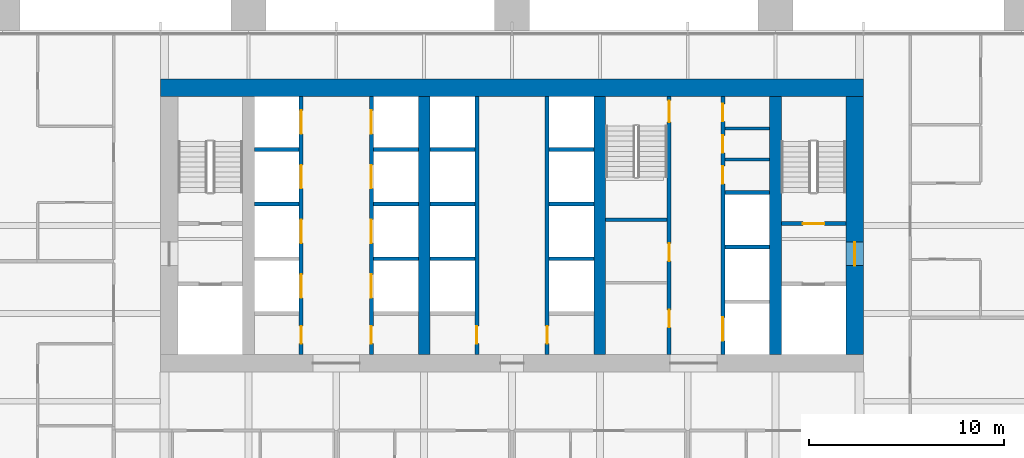
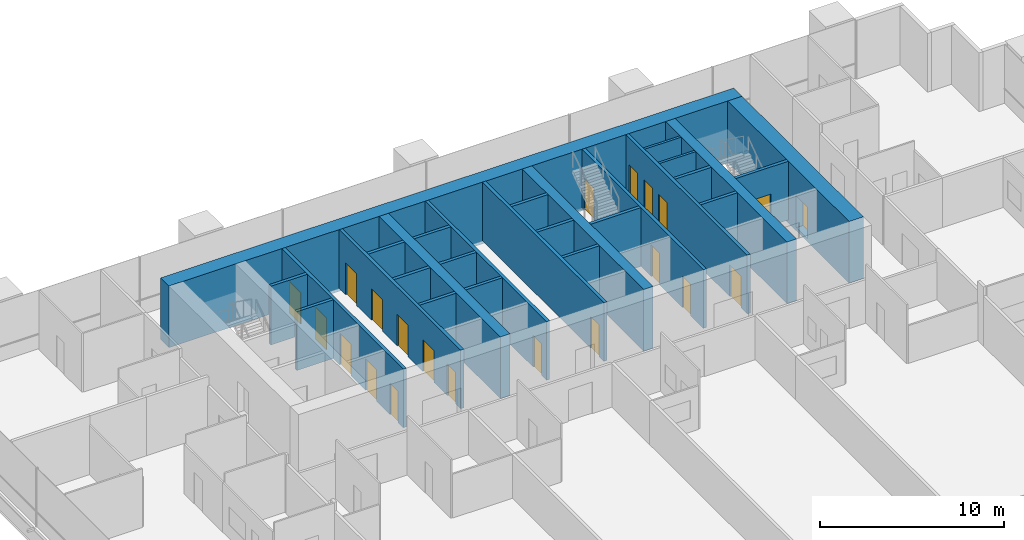
# One storey, part 14 of 18: 28 walls, 21 doors, 21 openings.
"""IFC4 building model written with IfcOpenShell, lengths in metres."""

from ifc_helpers import new_model, si_unit, direction, frame, frame_2d, origin, place, context, subcontext, project, spatial, rectangle, extrude, material, layer, layer_set, type_object, element, fill, save


model = new_model("IFC4")

# Units and contexts
model_context = context("Model", 3, precision=1e-05, world=origin(), true_north=direction((0.0, 1.0)))
body_context = subcontext(model_context, "Body", "Model", "MODEL_VIEW")
ifc_project = project(units=[si_unit("LENGTHUNIT", "METRE"), si_unit("AREAUNIT", "SQUARE_METRE"), si_unit("VOLUMEUNIT", "CUBIC_METRE"), si_unit("PLANEANGLEUNIT", "RADIAN"), si_unit("MASSUNIT", "GRAM", prefix="KILO")], contexts=[model_context])

# Site, building, storey
site_placement = place(None, origin())
site = spatial("IfcSite", under=ifc_project, at=site_placement, CompositionType="ELEMENT")
building_placement = place(site_placement, origin())
building = spatial("IfcBuilding", under=site, at=building_placement, Name="Rattan Terrace Tower", CompositionType="ELEMENT")
storey_placement = place(building_placement, frame((0.0, 0.0, 36.5)))
storey = spatial("IfcBuildingStorey", under=building, at=storey_placement, Name="L07", CompositionType="ELEMENT", Elevation=36.5)

# Walls
ifc_material_1 = material(Name="Gypsum board partition")
ifc_layer_1 = layer(ifc_material_1, 0.14990234375)
ifc_layer_set_1 = layer_set([ifc_layer_1], Name="Core partition 150")
wall_type_1 = type_object("IfcWallType", Name="Core partition 150", PredefinedType="PARTITIONING", material=ifc_layer_set_1)
for number, where, z_axis, x_axis, name in (
    (1, (10.89990234375, 3.384033203125, 0.0), (0.0, 0.0, 1.0), (1.0, 0.0, 0.0), "Riser room wall"),
    (2, (10.89990234375, 4.968017578125, 0.0), (0.0, 0.0, 1.0), (1.0, 0.0, 0.0), "Riser room wall"),
):
    element("IfcWall", number, at=place(storey_placement, frame(where, z_axis=z_axis, x_axis=x_axis)), inside=storey, type_object=wall_type_1, Name=name, PredefinedType="PARTITIONING", context=body_context, shape_type="SweptSolid", body=[
        extrude(rectangle(XDim=2.300048828125, YDim=0.14990234375, at=frame_2d((1.14990234375, 0.0))), origin(), (0.0, 0.0, 1.0), 3.89990234375),
    ])

# Wall, opening, door
ifc_material_2 = material(Name="Gypsum board partition")
ifc_layer_2 = layer(ifc_material_2, 0.199951171875)
ifc_layer_set_2 = layer_set([ifc_layer_2], Name="Core partition 200")
wall_type_2 = type_object("IfcWallType", Name="Core partition 200", PredefinedType="PARTITIONING", material=ifc_layer_set_2)
wall_1_placement = place(storey_placement, frame((13.800048828125, 0.10009765625, 0.0), z_axis=(0.0, 0.0, 1.0), x_axis=(1.0, 0.0, 0.0)))
wall_1 = element("IfcWall", 3, at=wall_1_placement, inside=storey, type_object=wall_type_2, Name="Stair enclosure wall", PredefinedType="PARTITIONING", context=body_context, shape_type="SweptSolid", body=[
    extrude(rectangle(XDim=3.300048828125, YDim=0.199951171875, at=frame_2d((1.64990234375, 0.0))), origin(), (0.0, 0.0, 1.0), 3.89990234375),
])
opening_1_placement = place(wall_1_placement, frame((1.10009765625, 0.0, 0.0)))
opening_1 = element("IfcOpeningElement", 4, at=opening_1_placement, cuts=wall_1, Name="Opening L07-D004", PredefinedType="OPENING", context=body_context, shape_type="SweptSolid", body=[
    extrude(rectangle(XDim=1.10009765625, YDim=2.10009765625, at=frame_2d((0.550048828125, 1.050048828125))), frame((0.0, 0.110595703125, 0.0), z_axis=(0.0, -1.0, 0.0), x_axis=(1.0, 0.0, 0.0)), (0.0, 0.0, 1.0), 0.220947265625),
])
ifc_material_3 = material(Name="Hollow-metal fire door leaf")
door_type_1 = type_object("IfcDoorType", Name="Core stair door 1100", OperationType="NOTDEFINED", PredefinedType="DOOR", material=ifc_material_3)
door_1_placement = place(opening_1_placement, origin())
door_1 = element("IfcDoor", 5, at=door_1_placement, inside=storey, type_object=door_type_1, Name="Door L07-D004", OperationType="SINGLE_SWING_RIGHT", OverallHeight=2.10009765625, OverallWidth=1.10009765625, PredefinedType="DOOR", context=body_context, shape_type="SweptSolid", body=[
    extrude(rectangle(XDim=1.10009765625, YDim=2.10009765625, at=frame_2d((0.550048828125, 1.050048828125))), frame((0.0, 0.02490234375, 0.0), z_axis=(0.0, -1.0, 0.0), x_axis=(1.0, 0.0, 0.0)), (0.0, 0.0, 1.0), 0.050048828125),
])
fill(opening_1, door_1)

# Wall, openings, doors
wall_2_placement = place(storey_placement, frame((8.050048828125, -6.60009765625, 0.0), z_axis=(0.0, 0.0, 1.0), x_axis=(0.0, 1.0, 0.0)))
wall_2 = element("IfcWall", 6, at=wall_2_placement, inside=storey, type_object=wall_type_2, Name="Lobby wall west", PredefinedType="PARTITIONING", context=body_context, shape_type="SweptSolid", body=[
    extrude(rectangle(XDim=13.2001953125, YDim=0.199951171875, at=frame_2d((6.60009765625, 0.0))), origin(), (0.0, 0.0, 1.0), 3.89990234375),
])
opening_2_placement = place(wall_2_placement, frame((1.385986328125, 0.0, 0.0)))
opening_2 = element("IfcOpeningElement", 7, at=opening_2_placement, cuts=wall_2, Name="Opening L07-D011", PredefinedType="OPENING", context=body_context, shape_type="SweptSolid", body=[
    extrude(rectangle(XDim=0.89990234375, YDim=2.10009765625, at=frame_2d((0.449951171875, 1.050048828125))), frame((0.0, 0.110595703125, 0.0), z_axis=(0.0, -1.0, 0.0), x_axis=(1.0, 0.0, 0.0)), (0.0, 0.0, 1.0), 0.220947265625),
])
opening_3_placement = place(wall_2_placement, frame((4.785888671875, 0.0, 0.0)))
opening_3 = element("IfcOpeningElement", 8, at=opening_3_placement, cuts=wall_2, Name="Opening L07-D012", PredefinedType="OPENING", context=body_context, shape_type="SweptSolid", body=[
    extrude(rectangle(XDim=0.89990234375, YDim=2.10009765625, at=frame_2d((0.449951171875, 1.050048828125))), frame((0.0, 0.110595703125, 0.0), z_axis=(0.0, -1.0, 0.0), x_axis=(1.0, 0.0, 0.0)), (0.0, 0.0, 1.0), 0.220947265625),
])
opening_4_placement = place(wall_2_placement, frame((11.89990234375, 0.0, 0.0)))
opening_4 = element("IfcOpeningElement", 9, at=opening_4_placement, cuts=wall_2, Name="Opening L07-D013", PredefinedType="OPENING", context=body_context, shape_type="SweptSolid", body=[
    extrude(rectangle(XDim=1.10009765625, YDim=2.10009765625, at=frame_2d((0.550048828125, 1.050048828125))), frame((0.0, 0.110595703125, 0.0), z_axis=(0.0, -1.0, 0.0), x_axis=(1.0, 0.0, 0.0)), (0.0, 0.0, 1.0), 0.220947265625),
])
door_2_placement = place(opening_4_placement, origin())
door_2 = element("IfcDoor", 10, at=door_2_placement, inside=storey, type_object=door_type_1, Name="Door L07-D013", OperationType="SINGLE_SWING_RIGHT", OverallHeight=2.10009765625, OverallWidth=1.10009765625, PredefinedType="DOOR", context=body_context, shape_type="SweptSolid", body=[
    extrude(rectangle(XDim=1.10009765625, YDim=2.10009765625, at=frame_2d((0.550048828125, 1.050048828125))), frame((0.0, 0.02490234375, 0.0), z_axis=(0.0, -1.0, 0.0), x_axis=(1.0, 0.0, 0.0)), (0.0, 0.0, 1.0), 0.050048828125),
])
fill(opening_4, door_2)
ifc_material_4 = material(Name="Hollow-metal fire door leaf")
door_type_2 = type_object("IfcDoorType", Name="Core toilet door 900", OperationType="NOTDEFINED", PredefinedType="DOOR", material=ifc_material_4)
door_3_placement = place(opening_2_placement, origin())
door_3 = element("IfcDoor", 11, at=door_3_placement, inside=storey, type_object=door_type_2, Name="Door L07-D011", OperationType="SINGLE_SWING_RIGHT", OverallHeight=2.10009765625, OverallWidth=0.89990234375, PredefinedType="DOOR", context=body_context, shape_type="SweptSolid", body=[
    extrude(rectangle(XDim=0.89990234375, YDim=2.10009765625, at=frame_2d((0.449951171875, 1.050048828125))), frame((0.0, 0.02490234375, 0.0), z_axis=(0.0, -1.0, 0.0), x_axis=(1.0, 0.0, 0.0)), (0.0, 0.0, 1.0), 0.050048828125),
])
fill(opening_2, door_3)
door_4_placement = place(opening_3_placement, origin())
door_4 = element("IfcDoor", 12, at=door_4_placement, inside=storey, type_object=door_type_2, Name="Door L07-D012", OperationType="SINGLE_SWING_LEFT", OverallHeight=2.10009765625, OverallWidth=0.89990234375, PredefinedType="DOOR", context=body_context, shape_type="SweptSolid", body=[
    extrude(rectangle(XDim=0.89990234375, YDim=2.10009765625, at=frame_2d((0.449951171875, 1.050048828125))), frame((0.0, 0.02490234375, 0.0), z_axis=(0.0, -1.0, 0.0), x_axis=(1.0, 0.0, 0.0)), (0.0, 0.0, 1.0), 0.050048828125),
])
fill(opening_3, door_4)

# Walls
wall_3_placement = place(storey_placement, frame((4.800048828125, 0.300048828125, 0.0), z_axis=(0.0, 0.0, 1.0), x_axis=(1.0, 0.0, 0.0)))
element("IfcWall", 13, at=wall_3_placement, inside=storey, type_object=wall_type_2, Name="Stair enclosure wall", PredefinedType="PARTITIONING", context=body_context, shape_type="SweptSolid", body=[
    extrude(rectangle(XDim=3.14990234375, YDim=0.199951171875, at=frame_2d((1.574951171875, 0.0))), origin(), (0.0, 0.0, 1.0), 3.89990234375),
])
ifc_material_5 = material(Name="Concrete C70/85", Category="concrete")
ifc_layer_3 = layer(ifc_material_5, 0.89990234375)
ifc_layer_set_3 = layer_set([ifc_layer_3], Name="Core ring wall 900 C70/85")
wall_type_3 = type_object("IfcWallType", Name="Core ring wall 900 C70/85", PredefinedType="SHEAR", material=ifc_layer_set_3)
wall_4_placement = place(storey_placement, frame((-18.0, 7.050048828125, -0.199951171875), z_axis=(0.0, 0.0, 1.0), x_axis=(1.0, 0.0, 0.0)))
element("IfcWall", 14, at=wall_4_placement, inside=storey, type_object=wall_type_3, Name="Rear core wall north", PredefinedType="SHEAR", context=body_context, shape_type="SweptSolid", body=[
    extrude(rectangle(XDim=36.0, YDim=0.89990234375, at=frame_2d((18.0, 0.0))), origin(), (0.0, 0.0, 1.0), 4.099853515625),
])

# Wall, opening, door
wall_5_placement = place(storey_placement, frame((17.550048828125, -6.60009765625, -0.199951171875), z_axis=(0.0, 0.0, 1.0), x_axis=(0.0, 1.0, 0.0)))
wall_5 = element("IfcWall", 15, at=wall_5_placement, inside=storey, type_object=wall_type_3, Name="Rear core wall east", PredefinedType="SHEAR", context=body_context, shape_type="SweptSolid", body=[
    extrude(rectangle(XDim=13.2001953125, YDim=0.89990234375, at=frame_2d((6.60009765625, 0.0))), origin(), (0.0, 0.0, 1.0), 4.099853515625),
])
opening_5_placement = place(wall_5_placement, frame((4.550048828125, 0.0, 0.199951171875)))
opening_5 = element("IfcOpeningElement", 16, at=opening_5_placement, cuts=wall_5, Name="Opening L07-D003", PredefinedType="OPENING", context=body_context, shape_type="SweptSolid", body=[
    extrude(rectangle(XDim=1.199951171875, YDim=2.10009765625, at=frame_2d((0.60009765625, 1.050048828125))), frame((0.0, 0.46044921875, 0.0), z_axis=(0.0, -1.0, 0.0), x_axis=(1.0, 0.0, 0.0)), (0.0, 0.0, 1.0), 0.9208984375),
])
ifc_material_6 = material(Name="Hollow-metal fire door leaf")
door_type_3 = type_object("IfcDoorType", Name="Core fire-fighting lobby door 1200", OperationType="NOTDEFINED", PredefinedType="DOOR", material=ifc_material_6)
door_5_placement = place(opening_5_placement, origin())
door_5 = element("IfcDoor", 17, at=door_5_placement, inside=storey, type_object=door_type_3, Name="Door L07-D003", OperationType="SINGLE_SWING_LEFT", OverallHeight=2.10009765625, OverallWidth=1.199951171875, PredefinedType="DOOR", context=body_context, shape_type="SweptSolid", body=[
    extrude(rectangle(XDim=1.199951171875, YDim=2.10009765625, at=frame_2d((0.60009765625, 1.050048828125))), frame((0.0, 0.02490234375, 0.0), z_axis=(0.0, -1.0, 0.0), x_axis=(1.0, 0.0, 0.0)), (0.0, 0.0, 1.0), 0.050048828125),
])
fill(opening_5, door_5)

# Walls
ifc_material_7 = material(Name="Concrete C70/85", Category="concrete")
ifc_layer_4 = layer(ifc_material_7, 0.60009765625)
ifc_layer_set_4 = layer_set([ifc_layer_4], Name="Core spine wall 600 C70/85")
wall_type_4 = type_object("IfcWallType", Name="Core spine wall 600 C70/85", PredefinedType="SHEAR", material=ifc_layer_set_4)
for number, where, z_axis, x_axis, name in (
    (18, (-4.5, -6.60009765625, -0.199951171875), (0.0, 0.0, 1.0), (0.0, 1.0, 0.0), "Core spine wall 2"),
    (19, (4.5, -6.60009765625, -0.199951171875), (0.0, 0.0, 1.0), (0.0, 1.0, 0.0), "Core spine wall 3"),
    (20, (13.5, -6.60009765625, -0.199951171875), (0.0, 0.0, 1.0), (0.0, 1.0, 0.0), "Core spine wall 4"),
):
    element("IfcWall", number, at=place(storey_placement, frame(where, z_axis=z_axis, x_axis=x_axis)), inside=storey, type_object=wall_type_4, Name=name, PredefinedType="SHEAR", context=body_context, shape_type="SweptSolid", body=[
        extrude(rectangle(XDim=13.2001953125, YDim=0.60009765625, at=frame_2d((6.60009765625, 0.0))), origin(), (0.0, 0.0, 1.0), 4.099853515625),
    ])

# Wall, openings, doors
ifc_material_8 = material(Name="Gypsum shaft wall system")
ifc_layer_5 = layer(ifc_material_8, 0.199951171875)
ifc_layer_set_5 = layer_set([ifc_layer_5], Name="Lift shaft wall 200")
wall_type_5 = type_object("IfcWallType", Name="Lift shaft wall 200", PredefinedType="PARTITIONING", material=ifc_layer_set_5)
wall_6_placement = place(storey_placement, frame((-10.800048828125, -6.60009765625, 0.0), z_axis=(0.0, 0.0, 1.0), x_axis=(0.0, 1.0, 0.0)))
wall_6 = element("IfcWall", 21, at=wall_6_placement, inside=storey, type_object=wall_type_5, Name="Lift shaft front wall", PredefinedType="PARTITIONING", context=body_context, shape_type="SweptSolid", body=[
    extrude(rectangle(XDim=13.2001953125, YDim=0.199951171875, at=frame_2d((6.60009765625, 0.0))), origin(), (0.0, 0.0, 1.0), 3.89990234375),
])
opening_6_placement = place(wall_6_placement, frame((0.550048828125, 0.0, 0.0)))
opening_6 = element("IfcOpeningElement", 22, at=opening_6_placement, cuts=wall_6, Name="Opening L07-D005", PredefinedType="OPENING", context=body_context, shape_type="SweptSolid", body=[
    extrude(rectangle(XDim=0.89990234375, YDim=2.10009765625, at=frame_2d((0.449951171875, 1.050048828125))), frame((0.0, 0.110595703125, 0.0), z_axis=(0.0, -1.0, 0.0), x_axis=(1.0, 0.0, 0.0)), (0.0, 0.0, 1.0), 0.220947265625),
])
opening_7_placement = place(wall_6_placement, frame((2.89990234375, 0.0, 0.0)))
opening_7 = element("IfcOpeningElement", 23, at=opening_7_placement, cuts=wall_6, Name="Opening L07-LD-LR1", PredefinedType="OPENING", context=body_context, shape_type="SweptSolid", body=[
    extrude(rectangle(XDim=1.199951171875, YDim=2.10009765625, at=frame_2d((0.60009765625, 1.050048828125))), frame((0.0, 0.110595703125, 0.0), z_axis=(0.0, -1.0, 0.0), x_axis=(1.0, 0.0, 0.0)), (0.0, 0.0, 1.0), 0.220947265625),
])
opening_8_placement = place(wall_6_placement, frame((5.699951171875, 0.0, 0.0)))
opening_8 = element("IfcOpeningElement", 24, at=opening_8_placement, cuts=wall_6, Name="Opening L07-LD-LR2", PredefinedType="OPENING", context=body_context, shape_type="SweptSolid", body=[
    extrude(rectangle(XDim=1.199951171875, YDim=2.10009765625, at=frame_2d((0.60009765625, 1.050048828125))), frame((0.0, 0.110595703125, 0.0), z_axis=(0.0, -1.0, 0.0), x_axis=(1.0, 0.0, 0.0)), (0.0, 0.0, 1.0), 0.220947265625),
])
opening_9_placement = place(wall_6_placement, frame((8.5, 0.0, 0.0)))
opening_9 = element("IfcOpeningElement", 25, at=opening_9_placement, cuts=wall_6, Name="Opening L07-LD-LR3", PredefinedType="OPENING", context=body_context, shape_type="SweptSolid", body=[
    extrude(rectangle(XDim=1.199951171875, YDim=2.10009765625, at=frame_2d((0.60009765625, 1.050048828125))), frame((0.0, 0.110595703125, 0.0), z_axis=(0.0, -1.0, 0.0), x_axis=(1.0, 0.0, 0.0)), (0.0, 0.0, 1.0), 0.220947265625),
])
opening_10_placement = place(wall_6_placement, frame((11.300048828125, 0.0, 0.0)))
opening_10 = element("IfcOpeningElement", 26, at=opening_10_placement, cuts=wall_6, Name="Opening L07-LD-LR4", PredefinedType="OPENING", context=body_context, shape_type="SweptSolid", body=[
    extrude(rectangle(XDim=1.199951171875, YDim=2.10009765625, at=frame_2d((0.60009765625, 1.050048828125))), frame((0.0, 0.110595703125, 0.0), z_axis=(0.0, -1.0, 0.0), x_axis=(1.0, 0.0, 0.0)), (0.0, 0.0, 1.0), 0.220947265625),
])
ifc_material_9 = material(Name="Brushed stainless landing door panel")
door_type_4 = type_object("IfcDoorType", Name="Core lift landing door 1200", OperationType="DOUBLE_DOOR_SLIDING", PredefinedType="DOOR", material=ifc_material_9)
door_6_placement = place(opening_7_placement, origin())
door_6 = element("IfcDoor", 27, at=door_6_placement, inside=storey, type_object=door_type_4, Name="Door L07-LD-LR1", OperationType="DOUBLE_DOOR_SLIDING", OverallHeight=2.10009765625, OverallWidth=1.199951171875, PredefinedType="DOOR", context=body_context, shape_type="SweptSolid", body=[
    extrude(rectangle(XDim=1.199951171875, YDim=2.10009765625, at=frame_2d((0.60009765625, 1.050048828125))), frame((0.0, 0.02490234375, 0.0), z_axis=(0.0, -1.0, 0.0), x_axis=(1.0, 0.0, 0.0)), (0.0, 0.0, 1.0), 0.050048828125),
])
fill(opening_7, door_6)
door_7_placement = place(opening_8_placement, origin())
door_7 = element("IfcDoor", 28, at=door_7_placement, inside=storey, type_object=door_type_4, Name="Door L07-LD-LR2", OperationType="DOUBLE_DOOR_SLIDING", OverallHeight=2.10009765625, OverallWidth=1.199951171875, PredefinedType="DOOR", context=body_context, shape_type="SweptSolid", body=[
    extrude(rectangle(XDim=1.199951171875, YDim=2.10009765625, at=frame_2d((0.60009765625, 1.050048828125))), frame((0.0, 0.02490234375, 0.0), z_axis=(0.0, -1.0, 0.0), x_axis=(1.0, 0.0, 0.0)), (0.0, 0.0, 1.0), 0.050048828125),
])
fill(opening_8, door_7)
door_8_placement = place(opening_9_placement, origin())
door_8 = element("IfcDoor", 29, at=door_8_placement, inside=storey, type_object=door_type_4, Name="Door L07-LD-LR3", OperationType="DOUBLE_DOOR_SLIDING", OverallHeight=2.10009765625, OverallWidth=1.199951171875, PredefinedType="DOOR", context=body_context, shape_type="SweptSolid", body=[
    extrude(rectangle(XDim=1.199951171875, YDim=2.10009765625, at=frame_2d((0.60009765625, 1.050048828125))), frame((0.0, 0.02490234375, 0.0), z_axis=(0.0, -1.0, 0.0), x_axis=(1.0, 0.0, 0.0)), (0.0, 0.0, 1.0), 0.050048828125),
])
fill(opening_9, door_8)
door_9_placement = place(opening_10_placement, origin())
door_9 = element("IfcDoor", 30, at=door_9_placement, inside=storey, type_object=door_type_4, Name="Door L07-LD-LR4", OperationType="DOUBLE_DOOR_SLIDING", OverallHeight=2.10009765625, OverallWidth=1.199951171875, PredefinedType="DOOR", context=body_context, shape_type="SweptSolid", body=[
    extrude(rectangle(XDim=1.199951171875, YDim=2.10009765625, at=frame_2d((0.60009765625, 1.050048828125))), frame((0.0, 0.02490234375, 0.0), z_axis=(0.0, -1.0, 0.0), x_axis=(1.0, 0.0, 0.0)), (0.0, 0.0, 1.0), 0.050048828125),
])
fill(opening_10, door_9)
ifc_material_10 = material(Name="Hollow-metal fire door leaf")
door_type_5 = type_object("IfcDoorType", Name="Core riser door 900", OperationType="NOTDEFINED", PredefinedType="DOOR", material=ifc_material_10)
door_10_placement = place(opening_6_placement, origin())
door_10 = element("IfcDoor", 31, at=door_10_placement, inside=storey, type_object=door_type_5, Name="Door L07-D005", OperationType="SINGLE_SWING_LEFT", OverallHeight=2.10009765625, OverallWidth=0.89990234375, PredefinedType="DOOR", context=body_context, shape_type="SweptSolid", body=[
    extrude(rectangle(XDim=0.89990234375, YDim=2.10009765625, at=frame_2d((0.449951171875, 1.050048828125))), frame((0.0, 0.02490234375, 0.0), z_axis=(0.0, -1.0, 0.0), x_axis=(1.0, 0.0, 0.0)), (0.0, 0.0, 1.0), 0.050048828125),
])
fill(opening_6, door_10)

wall_7_placement = place(storey_placement, frame((-7.199951171875, -6.60009765625, 0.0), z_axis=(0.0, 0.0, 1.0), x_axis=(0.0, 1.0, 0.0)))
wall_7 = element("IfcWall", 32, at=wall_7_placement, inside=storey, type_object=wall_type_5, Name="Lift shaft front wall", PredefinedType="PARTITIONING", context=body_context, shape_type="SweptSolid", body=[
    extrude(rectangle(XDim=13.2001953125, YDim=0.199951171875, at=frame_2d((6.60009765625, 0.0))), origin(), (0.0, 0.0, 1.0), 3.89990234375),
])
opening_11_placement = place(wall_7_placement, frame((0.550048828125, 0.0, 0.0)))
opening_11 = element("IfcOpeningElement", 33, at=opening_11_placement, cuts=wall_7, Name="Opening L07-D006", PredefinedType="OPENING", context=body_context, shape_type="SweptSolid", body=[
    extrude(rectangle(XDim=0.89990234375, YDim=2.10009765625, at=frame_2d((0.449951171875, 1.050048828125))), frame((0.0, 0.110595703125, 0.0), z_axis=(0.0, -1.0, 0.0), x_axis=(1.0, 0.0, 0.0)), (0.0, 0.0, 1.0), 0.220947265625),
])
opening_12_placement = place(wall_7_placement, frame((2.89990234375, 0.0, 0.0)))
opening_12 = element("IfcOpeningElement", 34, at=opening_12_placement, cuts=wall_7, Name="Opening L07-LD-LR5", PredefinedType="OPENING", context=body_context, shape_type="SweptSolid", body=[
    extrude(rectangle(XDim=1.199951171875, YDim=2.10009765625, at=frame_2d((0.60009765625, 1.050048828125))), frame((0.0, 0.110595703125, 0.0), z_axis=(0.0, -1.0, 0.0), x_axis=(1.0, 0.0, 0.0)), (0.0, 0.0, 1.0), 0.220947265625),
])
opening_13_placement = place(wall_7_placement, frame((5.699951171875, 0.0, 0.0)))
opening_13 = element("IfcOpeningElement", 35, at=opening_13_placement, cuts=wall_7, Name="Opening L07-LD-LR6", PredefinedType="OPENING", context=body_context, shape_type="SweptSolid", body=[
    extrude(rectangle(XDim=1.199951171875, YDim=2.10009765625, at=frame_2d((0.60009765625, 1.050048828125))), frame((0.0, 0.110595703125, 0.0), z_axis=(0.0, -1.0, 0.0), x_axis=(1.0, 0.0, 0.0)), (0.0, 0.0, 1.0), 0.220947265625),
])
opening_14_placement = place(wall_7_placement, frame((8.5, 0.0, 0.0)))
opening_14 = element("IfcOpeningElement", 36, at=opening_14_placement, cuts=wall_7, Name="Opening L07-LD-LR7", PredefinedType="OPENING", context=body_context, shape_type="SweptSolid", body=[
    extrude(rectangle(XDim=1.199951171875, YDim=2.10009765625, at=frame_2d((0.60009765625, 1.050048828125))), frame((0.0, 0.110595703125, 0.0), z_axis=(0.0, -1.0, 0.0), x_axis=(1.0, 0.0, 0.0)), (0.0, 0.0, 1.0), 0.220947265625),
])
opening_15_placement = place(wall_7_placement, frame((11.300048828125, 0.0, 0.0)))
opening_15 = element("IfcOpeningElement", 37, at=opening_15_placement, cuts=wall_7, Name="Opening L07-LD-LR8", PredefinedType="OPENING", context=body_context, shape_type="SweptSolid", body=[
    extrude(rectangle(XDim=1.199951171875, YDim=2.10009765625, at=frame_2d((0.60009765625, 1.050048828125))), frame((0.0, 0.110595703125, 0.0), z_axis=(0.0, -1.0, 0.0), x_axis=(1.0, 0.0, 0.0)), (0.0, 0.0, 1.0), 0.220947265625),
])
door_11_placement = place(opening_12_placement, origin())
door_11 = element("IfcDoor", 38, at=door_11_placement, inside=storey, type_object=door_type_4, Name="Door L07-LD-LR5", OperationType="DOUBLE_DOOR_SLIDING", OverallHeight=2.10009765625, OverallWidth=1.199951171875, PredefinedType="DOOR", context=body_context, shape_type="SweptSolid", body=[
    extrude(rectangle(XDim=1.199951171875, YDim=2.10009765625, at=frame_2d((0.60009765625, 1.050048828125))), frame((0.0, 0.02490234375, 0.0), z_axis=(0.0, -1.0, 0.0), x_axis=(1.0, 0.0, 0.0)), (0.0, 0.0, 1.0), 0.050048828125),
])
fill(opening_12, door_11)
door_12_placement = place(opening_13_placement, origin())
door_12 = element("IfcDoor", 39, at=door_12_placement, inside=storey, type_object=door_type_4, Name="Door L07-LD-LR6", OperationType="DOUBLE_DOOR_SLIDING", OverallHeight=2.10009765625, OverallWidth=1.199951171875, PredefinedType="DOOR", context=body_context, shape_type="SweptSolid", body=[
    extrude(rectangle(XDim=1.199951171875, YDim=2.10009765625, at=frame_2d((0.60009765625, 1.050048828125))), frame((0.0, 0.02490234375, 0.0), z_axis=(0.0, -1.0, 0.0), x_axis=(1.0, 0.0, 0.0)), (0.0, 0.0, 1.0), 0.050048828125),
])
fill(opening_13, door_12)
door_13_placement = place(opening_14_placement, origin())
door_13 = element("IfcDoor", 40, at=door_13_placement, inside=storey, type_object=door_type_4, Name="Door L07-LD-LR7", OperationType="DOUBLE_DOOR_SLIDING", OverallHeight=2.10009765625, OverallWidth=1.199951171875, PredefinedType="DOOR", context=body_context, shape_type="SweptSolid", body=[
    extrude(rectangle(XDim=1.199951171875, YDim=2.10009765625, at=frame_2d((0.60009765625, 1.050048828125))), frame((0.0, 0.02490234375, 0.0), z_axis=(0.0, -1.0, 0.0), x_axis=(1.0, 0.0, 0.0)), (0.0, 0.0, 1.0), 0.050048828125),
])
fill(opening_14, door_13)
door_14_placement = place(opening_15_placement, origin())
door_14 = element("IfcDoor", 41, at=door_14_placement, inside=storey, type_object=door_type_4, Name="Door L07-LD-LR8", OperationType="DOUBLE_DOOR_SLIDING", OverallHeight=2.10009765625, OverallWidth=1.199951171875, PredefinedType="DOOR", context=body_context, shape_type="SweptSolid", body=[
    extrude(rectangle(XDim=1.199951171875, YDim=2.10009765625, at=frame_2d((0.60009765625, 1.050048828125))), frame((0.0, 0.02490234375, 0.0), z_axis=(0.0, -1.0, 0.0), x_axis=(1.0, 0.0, 0.0)), (0.0, 0.0, 1.0), 0.050048828125),
])
fill(opening_15, door_14)
door_15_placement = place(opening_11_placement, origin())
door_15 = element("IfcDoor", 42, at=door_15_placement, inside=storey, type_object=door_type_5, Name="Door L07-D006", OperationType="SINGLE_SWING_RIGHT", OverallHeight=2.10009765625, OverallWidth=0.89990234375, PredefinedType="DOOR", context=body_context, shape_type="SweptSolid", body=[
    extrude(rectangle(XDim=0.89990234375, YDim=2.10009765625, at=frame_2d((0.449951171875, 1.050048828125))), frame((0.0, 0.02490234375, 0.0), z_axis=(0.0, -1.0, 0.0), x_axis=(1.0, 0.0, 0.0)), (0.0, 0.0, 1.0), 0.050048828125),
])
fill(opening_11, door_15)

# Walls
for number, where, z_axis, x_axis, name in (
    (43, (-13.199951171875, 1.10009765625, 0.0), (0.0, 0.0, 1.0), (1.0, 0.0, 0.0), "Lift shaft wall"),
    (44, (-13.199951171875, 3.89990234375, 0.0), (0.0, 0.0, 1.0), (1.0, 0.0, 0.0), "Lift shaft wall"),
    (45, (-7.10009765625, -1.699951171875, 0.0), (0.0, 0.0, 1.0), (1.0, 0.0, 0.0), "Lift shaft wall"),
    (46, (-7.10009765625, 1.10009765625, 0.0), (0.0, 0.0, 1.0), (1.0, 0.0, 0.0), "Lift shaft wall"),
    (47, (-7.10009765625, 3.89990234375, 0.0), (0.0, 0.0, 1.0), (1.0, 0.0, 0.0), "Lift shaft wall"),
):
    element("IfcWall", number, at=place(storey_placement, frame(where, z_axis=z_axis, x_axis=x_axis)), inside=storey, type_object=wall_type_5, Name=name, PredefinedType="PARTITIONING", context=body_context, shape_type="SweptSolid", body=[
        extrude(rectangle(XDim=2.300048828125, YDim=0.199951171875, at=frame_2d((1.14990234375, 0.0))), origin(), (0.0, 0.0, 1.0), 3.89990234375),
    ])

# Wall, opening, door
wall_8_placement = place(storey_placement, frame((-1.800048828125, -6.60009765625, 0.0), z_axis=(0.0, 0.0, 1.0), x_axis=(0.0, 1.0, 0.0)))
wall_8 = element("IfcWall", 48, at=wall_8_placement, inside=storey, type_object=wall_type_5, Name="Lift shaft front wall", PredefinedType="PARTITIONING", context=body_context, shape_type="SweptSolid", body=[
    extrude(rectangle(XDim=13.2001953125, YDim=0.199951171875, at=frame_2d((6.60009765625, 0.0))), origin(), (0.0, 0.0, 1.0), 3.89990234375),
])
opening_16_placement = place(wall_8_placement, frame((0.550048828125, 0.0, 0.0)))
opening_16 = element("IfcOpeningElement", 49, at=opening_16_placement, cuts=wall_8, Name="Opening L07-D008", PredefinedType="OPENING", context=body_context, shape_type="SweptSolid", body=[
    extrude(rectangle(XDim=0.89990234375, YDim=2.10009765625, at=frame_2d((0.449951171875, 1.050048828125))), frame((0.0, 0.110595703125, 0.0), z_axis=(0.0, -1.0, 0.0), x_axis=(1.0, 0.0, 0.0)), (0.0, 0.0, 1.0), 0.220947265625),
])
door_16_placement = place(opening_16_placement, origin())
door_16 = element("IfcDoor", 50, at=door_16_placement, inside=storey, type_object=door_type_5, Name="Door L07-D008", OperationType="SINGLE_SWING_LEFT", OverallHeight=2.10009765625, OverallWidth=0.89990234375, PredefinedType="DOOR", context=body_context, shape_type="SweptSolid", body=[
    extrude(rectangle(XDim=0.89990234375, YDim=2.10009765625, at=frame_2d((0.449951171875, 1.050048828125))), frame((0.0, 0.02490234375, 0.0), z_axis=(0.0, -1.0, 0.0), x_axis=(1.0, 0.0, 0.0)), (0.0, 0.0, 1.0), 0.050048828125),
])
fill(opening_16, door_16)

wall_9_placement = place(storey_placement, frame((1.800048828125, -6.60009765625, 0.0), z_axis=(0.0, 0.0, 1.0), x_axis=(0.0, 1.0, 0.0)))
wall_9 = element("IfcWall", 51, at=wall_9_placement, inside=storey, type_object=wall_type_5, Name="Lift shaft front wall", PredefinedType="PARTITIONING", context=body_context, shape_type="SweptSolid", body=[
    extrude(rectangle(XDim=13.2001953125, YDim=0.199951171875, at=frame_2d((6.60009765625, 0.0))), origin(), (0.0, 0.0, 1.0), 3.89990234375),
])
opening_17_placement = place(wall_9_placement, frame((0.550048828125, 0.0, 0.0)))
opening_17 = element("IfcOpeningElement", 52, at=opening_17_placement, cuts=wall_9, Name="Opening L07-D009", PredefinedType="OPENING", context=body_context, shape_type="SweptSolid", body=[
    extrude(rectangle(XDim=0.89990234375, YDim=2.10009765625, at=frame_2d((0.449951171875, 1.050048828125))), frame((0.0, 0.110595703125, 0.0), z_axis=(0.0, -1.0, 0.0), x_axis=(1.0, 0.0, 0.0)), (0.0, 0.0, 1.0), 0.220947265625),
])
door_17_placement = place(opening_17_placement, origin())
door_17 = element("IfcDoor", 53, at=door_17_placement, inside=storey, type_object=door_type_5, Name="Door L07-D009", OperationType="SINGLE_SWING_RIGHT", OverallHeight=2.10009765625, OverallWidth=0.89990234375, PredefinedType="DOOR", context=body_context, shape_type="SweptSolid", body=[
    extrude(rectangle(XDim=0.89990234375, YDim=2.10009765625, at=frame_2d((0.449951171875, 1.050048828125))), frame((0.0, 0.02490234375, 0.0), z_axis=(0.0, -1.0, 0.0), x_axis=(1.0, 0.0, 0.0)), (0.0, 0.0, 1.0), 0.050048828125),
])
fill(opening_17, door_17)

# Walls
for number, where, z_axis, x_axis, name in (
    (54, (-4.199951171875, -1.699951171875, 0.0), (0.0, 0.0, 1.0), (1.0, 0.0, 0.0), "Lift shaft wall"),
    (55, (-4.199951171875, 1.10009765625, 0.0), (0.0, 0.0, 1.0), (1.0, 0.0, 0.0), "Lift shaft wall"),
    (56, (-4.199951171875, 3.89990234375, 0.0), (0.0, 0.0, 1.0), (1.0, 0.0, 0.0), "Lift shaft wall"),
    (57, (1.89990234375, -1.699951171875, 0.0), (0.0, 0.0, 1.0), (1.0, 0.0, 0.0), "Lift shaft wall"),
    (58, (1.89990234375, 1.10009765625, 0.0), (0.0, 0.0, 1.0), (1.0, 0.0, 0.0), "Lift shaft wall"),
    (59, (1.89990234375, 3.89990234375, 0.0), (0.0, 0.0, 1.0), (1.0, 0.0, 0.0), "Lift shaft wall"),
):
    element("IfcWall", number, at=place(storey_placement, frame(where, z_axis=z_axis, x_axis=x_axis)), inside=storey, type_object=wall_type_5, Name=name, PredefinedType="PARTITIONING", context=body_context, shape_type="SweptSolid", body=[
        extrude(rectangle(XDim=2.300048828125, YDim=0.199951171875, at=frame_2d((1.14990234375, 0.0))), origin(), (0.0, 0.0, 1.0), 3.89990234375),
    ])

# Wall, openings, doors
wall_10_placement = place(storey_placement, frame((10.800048828125, -6.60009765625, 0.0), z_axis=(0.0, 0.0, 1.0), x_axis=(0.0, 1.0, 0.0)))
wall_10 = element("IfcWall", 60, at=wall_10_placement, inside=storey, type_object=wall_type_5, Name="Lift shaft front wall", PredefinedType="PARTITIONING", context=body_context, shape_type="SweptSolid", body=[
    extrude(rectangle(XDim=13.2001953125, YDim=0.199951171875, at=frame_2d((6.60009765625, 0.0))), origin(), (0.0, 0.0, 1.0), 3.89990234375),
])
opening_18_placement = place(wall_10_placement, frame((0.699951171875, 0.0, 0.0)))
opening_18 = element("IfcOpeningElement", 61, at=opening_18_placement, cuts=wall_10, Name="Opening L07-LD-SV1", PredefinedType="OPENING", context=body_context, shape_type="SweptSolid", body=[
    extrude(rectangle(XDim=1.199951171875, YDim=2.10009765625, at=frame_2d((0.60009765625, 1.050048828125))), frame((0.0, 0.110595703125, 0.0), z_axis=(0.0, -1.0, 0.0), x_axis=(1.0, 0.0, 0.0)), (0.0, 0.0, 1.0), 0.220947265625),
])
opening_19_placement = place(wall_10_placement, frame((8.741943359375, 0.0, 0.0)))
opening_19 = element("IfcOpeningElement", 62, at=opening_19_placement, cuts=wall_10, Name="Opening L07-D015", PredefinedType="OPENING", context=body_context, shape_type="SweptSolid", body=[
    extrude(rectangle(XDim=0.89990234375, YDim=2.10009765625, at=frame_2d((0.449951171875, 1.050048828125))), frame((0.0, 0.110595703125, 0.0), z_axis=(0.0, -1.0, 0.0), x_axis=(1.0, 0.0, 0.0)), (0.0, 0.0, 1.0), 0.220947265625),
])
opening_20_placement = place(wall_10_placement, frame((10.325927734375, 0.0, 0.0)))
opening_20 = element("IfcOpeningElement", 63, at=opening_20_placement, cuts=wall_10, Name="Opening L07-D016", PredefinedType="OPENING", context=body_context, shape_type="SweptSolid", body=[
    extrude(rectangle(XDim=0.89990234375, YDim=2.10009765625, at=frame_2d((0.449951171875, 1.050048828125))), frame((0.0, 0.110595703125, 0.0), z_axis=(0.0, -1.0, 0.0), x_axis=(1.0, 0.0, 0.0)), (0.0, 0.0, 1.0), 0.220947265625),
])
opening_21_placement = place(wall_10_placement, frame((11.93408203125, 0.0, 0.0)))
opening_21 = element("IfcOpeningElement", 64, at=opening_21_placement, cuts=wall_10, Name="Opening L07-D017", PredefinedType="OPENING", context=body_context, shape_type="SweptSolid", body=[
    extrude(rectangle(XDim=0.89990234375, YDim=2.10009765625, at=frame_2d((0.449951171875, 1.050048828125))), frame((0.0, 0.110595703125, 0.0), z_axis=(0.0, -1.0, 0.0), x_axis=(1.0, 0.0, 0.0)), (0.0, 0.0, 1.0), 0.220947265625),
])
door_18_placement = place(opening_18_placement, origin())
door_18 = element("IfcDoor", 65, at=door_18_placement, inside=storey, type_object=door_type_4, Name="Door L07-LD-SV1", OperationType="DOUBLE_DOOR_SLIDING", OverallHeight=2.10009765625, OverallWidth=1.199951171875, PredefinedType="DOOR", context=body_context, shape_type="SweptSolid", body=[
    extrude(rectangle(XDim=1.199951171875, YDim=2.10009765625, at=frame_2d((0.60009765625, 1.050048828125))), frame((0.0, 0.02490234375, 0.0), z_axis=(0.0, -1.0, 0.0), x_axis=(1.0, 0.0, 0.0)), (0.0, 0.0, 1.0), 0.050048828125),
])
fill(opening_18, door_18)
door_19_placement = place(opening_19_placement, origin())
door_19 = element("IfcDoor", 66, at=door_19_placement, inside=storey, type_object=door_type_5, Name="Door L07-D015", OperationType="SINGLE_SWING_LEFT", OverallHeight=2.10009765625, OverallWidth=0.89990234375, PredefinedType="DOOR", context=body_context, shape_type="SweptSolid", body=[
    extrude(rectangle(XDim=0.89990234375, YDim=2.10009765625, at=frame_2d((0.449951171875, 1.050048828125))), frame((0.0, 0.02490234375, 0.0), z_axis=(0.0, -1.0, 0.0), x_axis=(1.0, 0.0, 0.0)), (0.0, 0.0, 1.0), 0.050048828125),
])
fill(opening_19, door_19)
door_20_placement = place(opening_20_placement, origin())
door_20 = element("IfcDoor", 67, at=door_20_placement, inside=storey, type_object=door_type_5, Name="Door L07-D016", OperationType="SINGLE_SWING_RIGHT", OverallHeight=2.10009765625, OverallWidth=0.89990234375, PredefinedType="DOOR", context=body_context, shape_type="SweptSolid", body=[
    extrude(rectangle(XDim=0.89990234375, YDim=2.10009765625, at=frame_2d((0.449951171875, 1.050048828125))), frame((0.0, 0.02490234375, 0.0), z_axis=(0.0, -1.0, 0.0), x_axis=(1.0, 0.0, 0.0)), (0.0, 0.0, 1.0), 0.050048828125),
])
fill(opening_20, door_20)
ifc_material_11 = material(Name="Hollow-metal fire door leaf")
door_type_6 = type_object("IfcDoorType", Name="Core service room door 900", OperationType="NOTDEFINED", PredefinedType="DOOR", material=ifc_material_11)
door_21_placement = place(opening_21_placement, origin())
door_21 = element("IfcDoor", 68, at=door_21_placement, inside=storey, type_object=door_type_6, Name="Door L07-D017", OperationType="SINGLE_SWING_LEFT", OverallHeight=2.10009765625, OverallWidth=0.89990234375, PredefinedType="DOOR", context=body_context, shape_type="SweptSolid", body=[
    extrude(rectangle(XDim=0.89990234375, YDim=2.10009765625, at=frame_2d((0.449951171875, 1.050048828125))), frame((0.0, 0.02490234375, 0.0), z_axis=(0.0, -1.0, 0.0), x_axis=(1.0, 0.0, 0.0)), (0.0, 0.0, 1.0), 0.050048828125),
])
fill(opening_21, door_21)

# Walls
for number, where, z_axis, x_axis, name in (
    (69, (10.89990234375, -1.10009765625, 0.0), (0.0, 0.0, 1.0), (1.0, 0.0, 0.0), "Lift shaft wall"),
    (70, (10.89990234375, 1.699951171875, 0.0), (0.0, 0.0, 1.0), (1.0, 0.0, 0.0), "Lift shaft wall"),
):
    element("IfcWall", number, at=place(storey_placement, frame(where, z_axis=z_axis, x_axis=x_axis)), inside=storey, type_object=wall_type_5, Name=name, PredefinedType="PARTITIONING", context=body_context, shape_type="SweptSolid", body=[
        extrude(rectangle(XDim=2.300048828125, YDim=0.199951171875, at=frame_2d((1.14990234375, 0.0))), origin(), (0.0, 0.0, 1.0), 3.89990234375),
    ])

save(model, "model.ifc")
